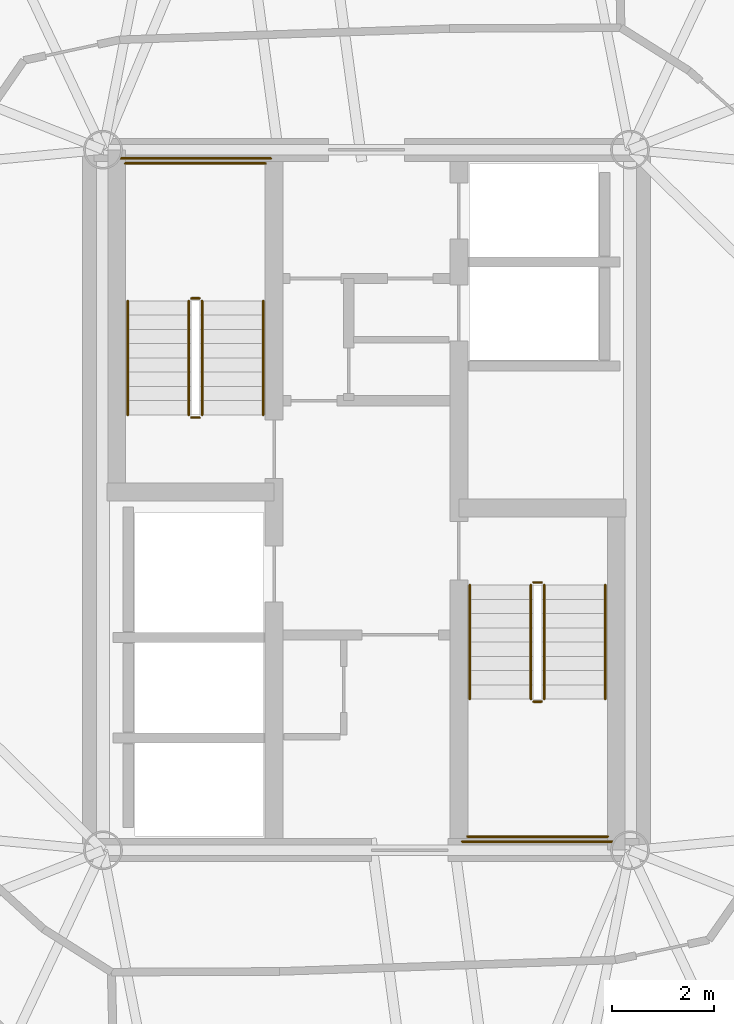
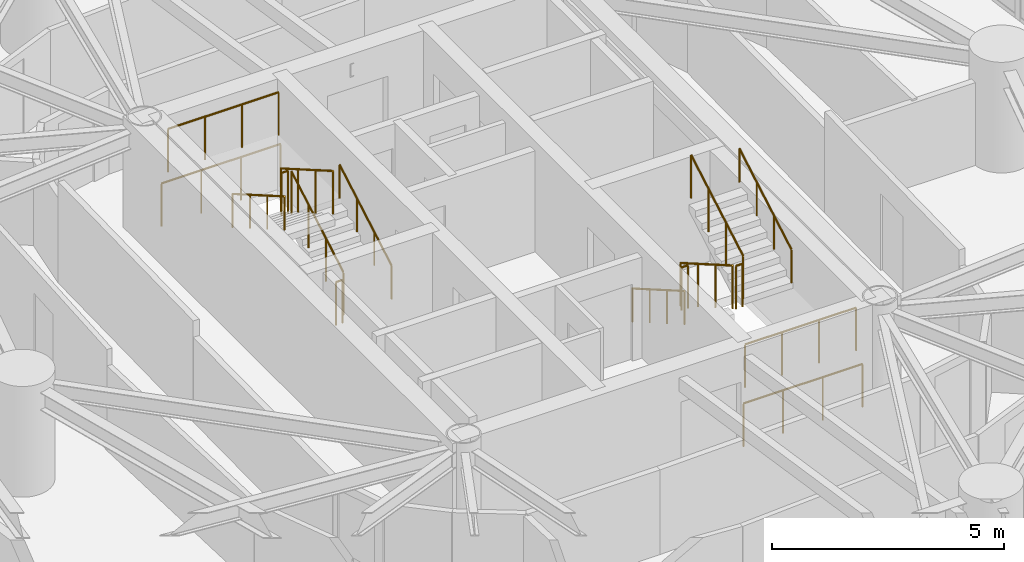
# One storey, part 16 of 17: 16 railings.
"""IFC4 building model written with IfcOpenShell, lengths in metres."""

from ifc_helpers import new_model, si_unit, direction, frame, origin, origin_2d, place, context, subcontext, project, spatial, circle, extrude, material, type_object, element, save


model = new_model("IFC4")

# Units and contexts
model_context = context("Model", 3, precision=1e-05, world=origin(), true_north=direction((0.0, 1.0)))
body_context = subcontext(model_context, "Body", "Model", "MODEL_VIEW")
ifc_project = project(units=[si_unit("LENGTHUNIT", "METRE"), si_unit("AREAUNIT", "SQUARE_METRE"), si_unit("VOLUMEUNIT", "CUBIC_METRE"), si_unit("PLANEANGLEUNIT", "RADIAN"), si_unit("MASSUNIT", "GRAM", prefix="KILO")], contexts=[model_context])

# Site, building, storey
site_placement = place(None, origin())
site = spatial("IfcSite", under=ifc_project, at=site_placement, CompositionType="ELEMENT")
building_placement = place(site_placement, origin())
building = spatial("IfcBuilding", under=site, at=building_placement, Name="Cununo Teusaquillo Station Towers", CompositionType="ELEMENT")
storey_placement = place(building_placement, frame((0.0, 0.0, 90.52001953125)))
storey = spatial("IfcBuildingStorey", under=building, at=storey_placement, Name="L28", CompositionType="ELEMENT", Elevation=90.52001953125)

# Railings
ifc_material_1 = material(Name="Steel EN 10025-2 S355J2", Category="steel")
railing_type_1 = type_object("IfcRailingType", Name="RL-INT-GUARD", PredefinedType="GUARDRAIL", material=ifc_material_1)
railing_1_placement = place(storey_placement, frame((13.27001953125, 26.169921875, 0.16162109375)))
element("IfcRailing", 1, at=railing_1_placement, inside=storey, type_object=railing_type_1, Name="L28 ST-T1-1 stair guard 1", PredefinedType="GUARDRAIL", context=body_context, shape_type="SweptSolid", body=[
    extrude(circle(Radius=0.02392578125, at=origin_2d()), frame((0.0, 0.0, 1.1259765625), z_axis=(0.0, 0.865992244559, 0.500057429065), x_axis=(-1.0, 0.0, 0.0)), (0.0, 0.0, 1.0), 2.586669921875),
    extrude(circle(Radius=0.02099609375, at=origin_2d()), origin(), (0.0, 0.0, 1.0), 1.101806640625),
    extrude(circle(Radius=0.02099609375, at=origin_2d()), frame((0.0, 0.74658203125, 0.43115234375)), (0.0, 0.0, 1.0), 1.101806640625),
    extrude(circle(Radius=0.02099609375, at=origin_2d()), frame((0.0, 1.493408203125, 0.8623046875)), (0.0, 0.0, 1.0), 1.101806640625),
    extrude(circle(Radius=0.02099609375, at=origin_2d()), frame((0.0, 2.239990234375, 1.29345703125)), (0.0, 0.0, 1.0), 1.101806640625),
])
railing_2_placement = place(storey_placement, frame((13.219970703125, 28.4599609375, 1.455078125)))
element("IfcRailing", 2, at=railing_2_placement, inside=storey, type_object=railing_type_1, Name="L28 ST-T1-1 stair guard 2", PredefinedType="GUARDRAIL", context=body_context, shape_type="SweptSolid", body=[
    extrude(circle(Radius=0.02392578125, at=origin_2d()), frame((0.0, 0.0, 1.1259765625), z_axis=(-1.0, 0.0, 0.0), x_axis=(0.0, -1.0, 0.0)), (0.0, 0.0, 1.0), 0.159912109375),
    extrude(circle(Radius=0.02099609375, at=origin_2d()), origin(), (0.0, 0.0, 1.0), 1.101806640625),
    extrude(circle(Radius=0.02099609375, at=origin_2d()), frame((-0.159912109375, 0.0, 0.0)), (0.0, 0.0, 1.0), 1.101806640625),
])
railing_3_placement = place(storey_placement, frame((14.52001953125, 31.110107421875, 1.455078125)))
element("IfcRailing", 3, at=railing_3_placement, inside=storey, type_object=railing_type_1, Name="L28 ST-T1-1 stair guard 3", PredefinedType="GUARDRAIL", context=body_context, shape_type="SweptSolid", body=[
    extrude(circle(Radius=0.02392578125, at=origin_2d()), frame((0.0, 0.0, 1.1259765625), z_axis=(-1.0, 0.0, 0.0), x_axis=(0.0, -1.0, 0.0)), (0.0, 0.0, 1.0), 2.760009765625),
    extrude(circle(Radius=0.02099609375, at=origin_2d()), origin(), (0.0, 0.0, 1.0), 1.101806640625),
    extrude(circle(Radius=0.02099609375, at=origin_2d()), frame((-0.919921875, 0.0, 0.0)), (0.0, 0.0, 1.0), 1.101806640625),
    extrude(circle(Radius=0.02099609375, at=origin_2d()), frame((-1.840087890625, 0.0, 0.0)), (0.0, 0.0, 1.0), 1.101806640625),
    extrude(circle(Radius=0.02099609375, at=origin_2d()), frame((-2.760009765625, 0.0, 0.0)), (0.0, 0.0, 1.0), 1.101806640625),
])
railing_4_placement = place(storey_placement, frame((13.010009765625, 28.409912109375, 1.61669921875)))
element("IfcRailing", 4, at=railing_4_placement, inside=storey, type_object=railing_type_1, Name="L28 ST-T1-1 stair guard 4", PredefinedType="GUARDRAIL", context=body_context, shape_type="SweptSolid", body=[
    extrude(circle(Radius=0.02392578125, at=origin_2d()), frame((0.0, 0.0, 1.1259765625), z_axis=(0.0, -0.866033117094, 0.499986639918), x_axis=(1.0, 0.0, 0.0)), (0.0, 0.0, 1.0), 2.58642578125),
    extrude(circle(Radius=0.02099609375, at=origin_2d()), origin(), (0.0, 0.0, 1.0), 1.101806640625),
    extrude(circle(Radius=0.02099609375, at=origin_2d()), frame((0.0, -0.74658203125, 0.43115234375)), (0.0, 0.0, 1.0), 1.101806640625),
    extrude(circle(Radius=0.02099609375, at=origin_2d()), frame((0.0, -1.493408203125, 0.862060546875)), (0.0, 0.0, 1.0), 1.101806640625),
    extrude(circle(Radius=0.02099609375, at=origin_2d()), frame((0.0, -2.239990234375, 1.293212890625)), (0.0, 0.0, 1.0), 1.101806640625),
])
railing_5_placement = place(storey_placement, frame((13.219970703125, 26.1201171875, 0.0)))
element("IfcRailing", 5, at=railing_5_placement, inside=storey, type_object=railing_type_1, Name="L28 ST-T1-1 stair guard 5", PredefinedType="GUARDRAIL", context=body_context, shape_type="SweptSolid", body=[
    extrude(circle(Radius=0.02392578125, at=origin_2d()), frame((0.0, 0.0, 1.1259765625), z_axis=(-1.0, 0.0, 0.0), x_axis=(0.0, -1.0, 0.0)), (0.0, 0.0, 1.0), 0.159912109375),
    extrude(circle(Radius=0.02099609375, at=origin_2d()), origin(), (0.0, 0.0, 1.0), 1.101806640625),
    extrude(circle(Radius=0.02099609375, at=origin_2d()), frame((-0.159912109375, 0.0, 0.0)), (0.0, 0.0, 1.0), 1.101806640625),
])
railing_6_placement = place(storey_placement, frame((14.6201171875, 31.2099609375, 0.0)))
element("IfcRailing", 6, at=railing_6_placement, inside=storey, type_object=railing_type_1, Name="L28 ST-T1-1 stair guard 6", PredefinedType="GUARDRAIL", context=body_context, shape_type="SweptSolid", body=[
    extrude(circle(Radius=0.02392578125, at=origin_2d()), frame((0.0, 0.0, 1.1259765625), z_axis=(-1.0, 0.0, 0.0), x_axis=(0.0, -1.0, 0.0)), (0.0, 0.0, 1.0), 2.960205078125),
    extrude(circle(Radius=0.02099609375, at=origin_2d()), origin(), (0.0, 0.0, 1.0), 1.101806640625),
    extrude(circle(Radius=0.02099609375, at=origin_2d()), frame((-0.98681640625, 0.0, 0.0)), (0.0, 0.0, 1.0), 1.101806640625),
    extrude(circle(Radius=0.02099609375, at=origin_2d()), frame((-1.973388671875, 0.0, 0.0)), (0.0, 0.0, 1.0), 1.101806640625),
    extrude(circle(Radius=0.02099609375, at=origin_2d()), frame((-2.960205078125, 0.0, 0.0)), (0.0, 0.0, 1.0), 1.101806640625),
])
railing_7_placement = place(storey_placement, frame((19.72998046875, 22.830078125, 0.16162109375)))
element("IfcRailing", 7, at=railing_7_placement, inside=storey, type_object=railing_type_1, Name="L28 ST-T1-2 stair guard 1", PredefinedType="GUARDRAIL", context=body_context, shape_type="SweptSolid", body=[
    extrude(circle(Radius=0.02392578125, at=origin_2d()), frame((0.0, 0.0, 1.1259765625), z_axis=(0.0, -0.865992244559, 0.500057429065), x_axis=(1.0, 0.0, 0.0)), (0.0, 0.0, 1.0), 2.586669921875),
    extrude(circle(Radius=0.02099609375, at=origin_2d()), origin(), (0.0, 0.0, 1.0), 1.101806640625),
    extrude(circle(Radius=0.02099609375, at=origin_2d()), frame((0.0, -0.74658203125, 0.43115234375)), (0.0, 0.0, 1.0), 1.101806640625),
    extrude(circle(Radius=0.02099609375, at=origin_2d()), frame((0.0, -1.493408203125, 0.8623046875)), (0.0, 0.0, 1.0), 1.101806640625),
    extrude(circle(Radius=0.02099609375, at=origin_2d()), frame((0.0, -2.239990234375, 1.29345703125)), (0.0, 0.0, 1.0), 1.101806640625),
])
railing_8_placement = place(storey_placement, frame((19.780029296875, 20.5400390625, 1.455078125)))
element("IfcRailing", 8, at=railing_8_placement, inside=storey, type_object=railing_type_1, Name="L28 ST-T1-2 stair guard 2", PredefinedType="GUARDRAIL", context=body_context, shape_type="SweptSolid", body=[
    extrude(circle(Radius=0.02392578125, at=origin_2d()), frame((0.0, 0.0, 1.1259765625), z_axis=(1.0, 0.0, 0.0), x_axis=(0.0, 1.0, 0.0)), (0.0, 0.0, 1.0), 0.159912109375),
    extrude(circle(Radius=0.02099609375, at=origin_2d()), origin(), (0.0, 0.0, 1.0), 1.101806640625),
    extrude(circle(Radius=0.02099609375, at=origin_2d()), frame((0.159912109375, 0.0, 0.0)), (0.0, 0.0, 1.0), 1.101806640625),
])
railing_9_placement = place(storey_placement, frame((18.47998046875, 17.889892578125, 1.455078125)))
element("IfcRailing", 9, at=railing_9_placement, inside=storey, type_object=railing_type_1, Name="L28 ST-T1-2 stair guard 3", PredefinedType="GUARDRAIL", context=body_context, shape_type="SweptSolid", body=[
    extrude(circle(Radius=0.02392578125, at=origin_2d()), frame((0.0, 0.0, 1.1259765625), z_axis=(1.0, 0.0, 0.0), x_axis=(0.0, 1.0, 0.0)), (0.0, 0.0, 1.0), 2.760009765625),
    extrude(circle(Radius=0.02099609375, at=origin_2d()), origin(), (0.0, 0.0, 1.0), 1.101806640625),
    extrude(circle(Radius=0.02099609375, at=origin_2d()), frame((0.919921875, 0.0, 0.0)), (0.0, 0.0, 1.0), 1.101806640625),
    extrude(circle(Radius=0.02099609375, at=origin_2d()), frame((1.840087890625, 0.0, 0.0)), (0.0, 0.0, 1.0), 1.101806640625),
    extrude(circle(Radius=0.02099609375, at=origin_2d()), frame((2.760009765625, 0.0, 0.0)), (0.0, 0.0, 1.0), 1.101806640625),
])
railing_10_placement = place(storey_placement, frame((19.989990234375, 20.590087890625, 1.61669921875)))
element("IfcRailing", 10, at=railing_10_placement, inside=storey, type_object=railing_type_1, Name="L28 ST-T1-2 stair guard 4", PredefinedType="GUARDRAIL", context=body_context, shape_type="SweptSolid", body=[
    extrude(circle(Radius=0.02392578125, at=origin_2d()), frame((0.0, 0.0, 1.1259765625), z_axis=(0.0, 0.866033117094, 0.499986639918), x_axis=(-1.0, 0.0, 0.0)), (0.0, 0.0, 1.0), 2.58642578125),
    extrude(circle(Radius=0.02099609375, at=origin_2d()), origin(), (0.0, 0.0, 1.0), 1.101806640625),
    extrude(circle(Radius=0.02099609375, at=origin_2d()), frame((0.0, 0.74658203125, 0.43115234375)), (0.0, 0.0, 1.0), 1.101806640625),
    extrude(circle(Radius=0.02099609375, at=origin_2d()), frame((0.0, 1.493408203125, 0.862060546875)), (0.0, 0.0, 1.0), 1.101806640625),
    extrude(circle(Radius=0.02099609375, at=origin_2d()), frame((0.0, 2.239990234375, 1.293212890625)), (0.0, 0.0, 1.0), 1.101806640625),
])
railing_11_placement = place(storey_placement, frame((19.780029296875, 22.8798828125, 0.0)))
element("IfcRailing", 11, at=railing_11_placement, inside=storey, type_object=railing_type_1, Name="L28 ST-T1-2 stair guard 5", PredefinedType="GUARDRAIL", context=body_context, shape_type="SweptSolid", body=[
    extrude(circle(Radius=0.02392578125, at=origin_2d()), frame((0.0, 0.0, 1.1259765625), z_axis=(1.0, 0.0, 0.0), x_axis=(0.0, 1.0, 0.0)), (0.0, 0.0, 1.0), 0.159912109375),
    extrude(circle(Radius=0.02099609375, at=origin_2d()), origin(), (0.0, 0.0, 1.0), 1.101806640625),
    extrude(circle(Radius=0.02099609375, at=origin_2d()), frame((0.159912109375, 0.0, 0.0)), (0.0, 0.0, 1.0), 1.101806640625),
])
railing_12_placement = place(storey_placement, frame((18.3798828125, 17.7900390625, 0.0)))
element("IfcRailing", 12, at=railing_12_placement, inside=storey, type_object=railing_type_1, Name="L28 ST-T1-2 stair guard 6", PredefinedType="GUARDRAIL", context=body_context, shape_type="SweptSolid", body=[
    extrude(circle(Radius=0.02392578125, at=origin_2d()), frame((0.0, 0.0, 1.1259765625), z_axis=(1.0, 0.0, 0.0), x_axis=(0.0, 1.0, 0.0)), (0.0, 0.0, 1.0), 2.960205078125),
    extrude(circle(Radius=0.02099609375, at=origin_2d()), origin(), (0.0, 0.0, 1.0), 1.101806640625),
    extrude(circle(Radius=0.02099609375, at=origin_2d()), frame((0.98681640625, 0.0, 0.0)), (0.0, 0.0, 1.0), 1.101806640625),
    extrude(circle(Radius=0.02099609375, at=origin_2d()), frame((1.973388671875, 0.0, 0.0)), (0.0, 0.0, 1.0), 1.101806640625),
    extrude(circle(Radius=0.02099609375, at=origin_2d()), frame((2.960205078125, 0.0, 0.0)), (0.0, 0.0, 1.0), 1.101806640625),
])
ifc_material_2 = material(Name="Steel EN 10025-2 S355J2", Category="steel")
railing_type_2 = type_object("IfcRailingType", Name="RL-INT-HRAIL", PredefinedType="HANDRAIL", material=ifc_material_2)
railing_13_placement = place(storey_placement, frame((14.469970703125, 26.169921875, 0.16162109375)))
element("IfcRailing", 13, at=railing_13_placement, inside=storey, type_object=railing_type_2, Name="L28 ST-T1-1 stair handrail 1", PredefinedType="HANDRAIL", context=body_context, shape_type="SweptSolid", body=[
    extrude(circle(Radius=0.02392578125, at=origin_2d()), frame((0.0, 0.0, 0.8759765625), z_axis=(0.0, 0.865992244559, 0.500057429065), x_axis=(-1.0, 0.0, 0.0)), (0.0, 0.0, 1.0), 2.586669921875),
    extrude(circle(Radius=0.02099609375, at=origin_2d()), origin(), (0.0, 0.0, 1.0), 0.851806640625),
    extrude(circle(Radius=0.02099609375, at=origin_2d()), frame((0.0, 0.74658203125, 0.43115234375)), (0.0, 0.0, 1.0), 0.851806640625),
    extrude(circle(Radius=0.02099609375, at=origin_2d()), frame((0.0, 1.493408203125, 0.8623046875)), (0.0, 0.0, 1.0), 0.851806640625),
    extrude(circle(Radius=0.02099609375, at=origin_2d()), frame((0.0, 2.239990234375, 1.29345703125)), (0.0, 0.0, 1.0), 0.851806640625),
])
railing_14_placement = place(storey_placement, frame((11.81005859375, 28.409912109375, 1.61669921875)))
element("IfcRailing", 14, at=railing_14_placement, inside=storey, type_object=railing_type_2, Name="L28 ST-T1-1 stair handrail 2", PredefinedType="HANDRAIL", context=body_context, shape_type="SweptSolid", body=[
    extrude(circle(Radius=0.02392578125, at=origin_2d()), frame((0.0, 0.0, 0.8759765625), z_axis=(0.0, -0.866033117094, 0.499986639918), x_axis=(1.0, 0.0, 0.0)), (0.0, 0.0, 1.0), 2.58642578125),
    extrude(circle(Radius=0.02099609375, at=origin_2d()), origin(), (0.0, 0.0, 1.0), 0.851806640625),
    extrude(circle(Radius=0.02099609375, at=origin_2d()), frame((0.0, -0.74658203125, 0.43115234375)), (0.0, 0.0, 1.0), 0.851806640625),
    extrude(circle(Radius=0.02099609375, at=origin_2d()), frame((0.0, -1.493408203125, 0.862060546875)), (0.0, 0.0, 1.0), 0.851806640625),
    extrude(circle(Radius=0.02099609375, at=origin_2d()), frame((0.0, -2.239990234375, 1.293212890625)), (0.0, 0.0, 1.0), 0.851806640625),
])
railing_15_placement = place(storey_placement, frame((18.530029296875, 22.830078125, 0.16162109375)))
element("IfcRailing", 15, at=railing_15_placement, inside=storey, type_object=railing_type_2, Name="L28 ST-T1-2 stair handrail 1", PredefinedType="HANDRAIL", context=body_context, shape_type="SweptSolid", body=[
    extrude(circle(Radius=0.02392578125, at=origin_2d()), frame((0.0, 0.0, 0.8759765625), z_axis=(0.0, -0.865992244559, 0.500057429065), x_axis=(1.0, 0.0, 0.0)), (0.0, 0.0, 1.0), 2.586669921875),
    extrude(circle(Radius=0.02099609375, at=origin_2d()), origin(), (0.0, 0.0, 1.0), 0.851806640625),
    extrude(circle(Radius=0.02099609375, at=origin_2d()), frame((0.0, -0.74658203125, 0.43115234375)), (0.0, 0.0, 1.0), 0.851806640625),
    extrude(circle(Radius=0.02099609375, at=origin_2d()), frame((0.0, -1.493408203125, 0.8623046875)), (0.0, 0.0, 1.0), 0.851806640625),
    extrude(circle(Radius=0.02099609375, at=origin_2d()), frame((0.0, -2.239990234375, 1.29345703125)), (0.0, 0.0, 1.0), 0.851806640625),
])
railing_16_placement = place(storey_placement, frame((21.18994140625, 20.590087890625, 1.61669921875)))
element("IfcRailing", 16, at=railing_16_placement, inside=storey, type_object=railing_type_2, Name="L28 ST-T1-2 stair handrail 2", PredefinedType="HANDRAIL", context=body_context, shape_type="SweptSolid", body=[
    extrude(circle(Radius=0.02392578125, at=origin_2d()), frame((0.0, 0.0, 0.8759765625), z_axis=(0.0, 0.866033117094, 0.499986639918), x_axis=(-1.0, 0.0, 0.0)), (0.0, 0.0, 1.0), 2.58642578125),
    extrude(circle(Radius=0.02099609375, at=origin_2d()), origin(), (0.0, 0.0, 1.0), 0.851806640625),
    extrude(circle(Radius=0.02099609375, at=origin_2d()), frame((0.0, 0.74658203125, 0.43115234375)), (0.0, 0.0, 1.0), 0.851806640625),
    extrude(circle(Radius=0.02099609375, at=origin_2d()), frame((0.0, 1.493408203125, 0.862060546875)), (0.0, 0.0, 1.0), 0.851806640625),
    extrude(circle(Radius=0.02099609375, at=origin_2d()), frame((0.0, 2.239990234375, 1.293212890625)), (0.0, 0.0, 1.0), 0.851806640625),
])

save(model, "model.ifc")
